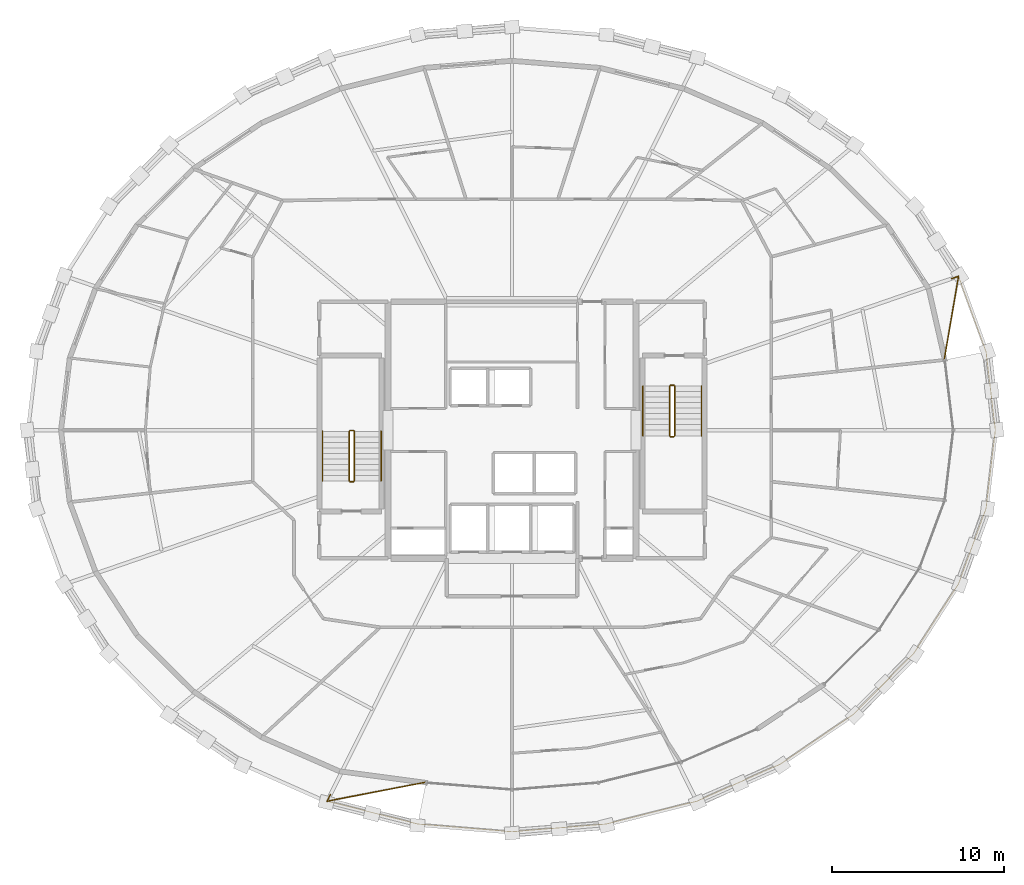
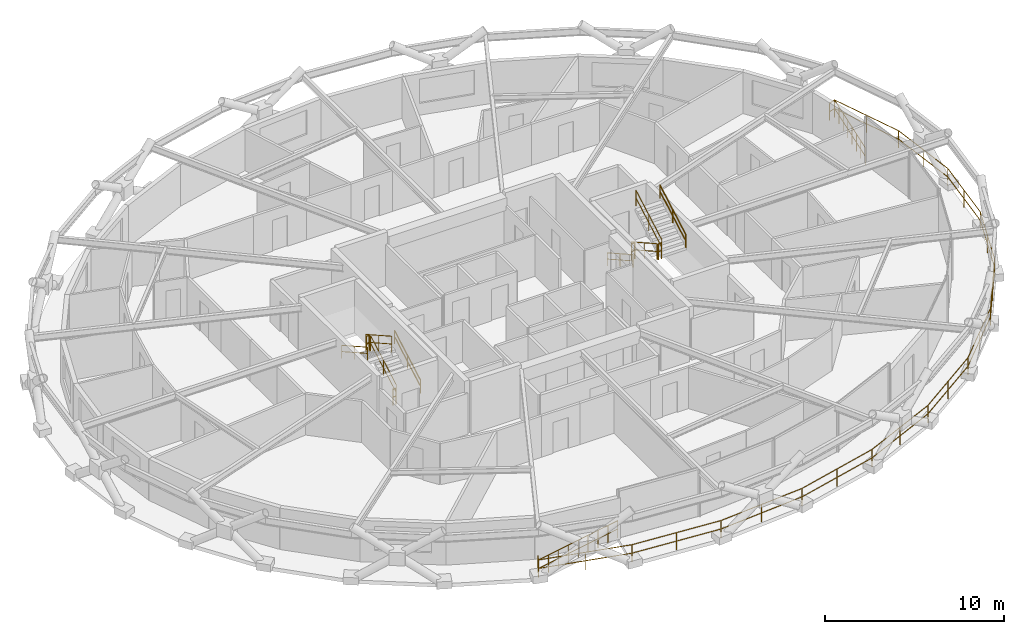
# One storey, part 19 of 19: 15 railings.
"""IFC4 building model written with IfcOpenShell, lengths in metres."""

from ifc_helpers import new_model, si_unit, direction, frame, origin, origin_2d, place, context, subcontext, project, spatial, circle, extrude, material, type_object, element, save


model = new_model("IFC4")

# Units and contexts
model_context = context("Model", 3, precision=1e-05, world=origin(), true_north=direction((0.0, 1.0)))
body_context = subcontext(model_context, "Body", "Model", "MODEL_VIEW")
ifc_project = project(units=[si_unit("LENGTHUNIT", "METRE"), si_unit("AREAUNIT", "SQUARE_METRE"), si_unit("VOLUMEUNIT", "CUBIC_METRE"), si_unit("PLANEANGLEUNIT", "RADIAN"), si_unit("MASSUNIT", "GRAM", prefix="KILO")], contexts=[model_context])

# Site, building, storey
site_placement = place(None, origin())
site = spatial("IfcSite", under=ifc_project, at=site_placement, CompositionType="ELEMENT")
building_placement = place(site_placement, origin())
building = spatial("IfcBuilding", under=site, at=building_placement, Name="Veldorina Hangang Commons", CompositionType="ELEMENT")
storey_placement = place(building_placement, frame((0.0, 0.0, 164.0)))
storey = spatial("IfcBuildingStorey", under=building, at=storey_placement, Name="L42", CompositionType="ELEMENT", Elevation=164.0)

# Railings
ifc_material_1 = material(Name="Glass Laminated Safety Balustrade", Category="glass")
railing_type_1 = type_object("IfcRailingType", Name="RL-BAL-LOGGIA", PredefinedType="BALUSTRADE", material=ifc_material_1)
railing_1_placement = place(storey_placement, frame((21.453369140625, 2.8291015625, 0.0)))
element("IfcRailing", 1, at=railing_1_placement, inside=storey, type_object=railing_type_1, Name="L42 sky-garden loggia end balustrade A", PredefinedType="BALUSTRADE", context=body_context, shape_type="SweptSolid", body=[
    extrude(circle(Radius=0.02392578125, at=origin_2d()), frame((0.0, 0.0, 1.17578125), z_axis=(-0.446050114082, -0.895007986404, 0.0), x_axis=(0.895007986404, -0.446050114082, 0.0)), (0.0, 0.0, 1.0), 0.419921875),
    extrude(circle(Radius=0.02392578125, at=origin_2d()), frame((0.0, 0.0, 0.60009765625), z_axis=(-0.446050114082, -0.895007986404, 0.0), x_axis=(0.895007986404, -0.446050114082, 0.0)), (0.0, 0.0, 1.0), 0.419921875),
    extrude(circle(Radius=0.02392578125, at=origin_2d()), frame((-0.187255859375, -0.375732421875, 1.17578125), z_axis=(0.981930469288, 0.189242049986, 0.0), x_axis=(-0.189242049986, 0.981930469288, 0.0)), (0.0, 0.0, 1.0), 5.8505859375),
    extrude(circle(Radius=0.02392578125, at=origin_2d()), frame((-0.187255859375, -0.375732421875, 0.60009765625), z_axis=(0.981930469288, 0.189242049986, 0.0), x_axis=(-0.189242049986, 0.981930469288, 0.0)), (0.0, 0.0, 1.0), 5.8505859375),
    extrude(circle(Radius=0.02099609375, at=origin_2d()), origin(), (0.0, 0.0, 1.0), 1.15185546875),
    extrude(circle(Radius=0.02099609375, at=origin_2d()), frame((-0.187255859375, -0.375732421875, 0.0)), (0.0, 0.0, 1.0), 1.15185546875),
    extrude(circle(Radius=0.02099609375, at=origin_2d()), frame((0.53076171875, -0.2373046875, 0.0)), (0.0, 0.0, 1.0), 1.15185546875),
    extrude(circle(Radius=0.02099609375, at=origin_2d()), frame((1.2490234375, -0.098876953125, 0.0)), (0.0, 0.0, 1.0), 1.15185546875),
    extrude(circle(Radius=0.02099609375, at=origin_2d()), frame((1.967041015625, 0.03955078125, 0.0)), (0.0, 0.0, 1.0), 1.15185546875),
    extrude(circle(Radius=0.02099609375, at=origin_2d()), frame((2.68505859375, 0.177734375, 0.0)), (0.0, 0.0, 1.0), 1.15185546875),
    extrude(circle(Radius=0.02099609375, at=origin_2d()), frame((3.4033203125, 0.316162109375, 0.0)), (0.0, 0.0, 1.0), 1.15185546875),
    extrude(circle(Radius=0.02099609375, at=origin_2d()), frame((4.121337890625, 0.45458984375, 0.0)), (0.0, 0.0, 1.0), 1.15185546875),
    extrude(circle(Radius=0.02099609375, at=origin_2d()), frame((4.839599609375, 0.593017578125, 0.0)), (0.0, 0.0, 1.0), 1.15185546875),
    extrude(circle(Radius=0.02099609375, at=origin_2d()), frame((5.5576171875, 0.7314453125, 0.0)), (0.0, 0.0, 1.0), 1.15185546875),
])
railing_2_placement = place(storey_placement, frame((57.52734375, 32.791748046875, 0.0)))
element("IfcRailing", 2, at=railing_2_placement, inside=storey, type_object=railing_type_1, Name="L42 sky-garden loggia end balustrade B", PredefinedType="BALUSTRADE", context=body_context, shape_type="SweptSolid", body=[
    extrude(circle(Radius=0.02392578125, at=origin_2d()), frame((0.0, 0.0, 1.17578125), z_axis=(0.94549650267, 0.325632251842, 0.0), x_axis=(-0.325632251842, 0.94549650267, 0.0)), (0.0, 0.0, 1.0), 0.419921875),
    extrude(circle(Radius=0.02392578125, at=origin_2d()), frame((0.0, 0.0, 0.60009765625), z_axis=(0.94549650267, 0.325632251842, 0.0), x_axis=(-0.325632251842, 0.94549650267, 0.0)), (0.0, 0.0, 1.0), 0.419921875),
    extrude(circle(Radius=0.02392578125, at=origin_2d()), frame((0.39697265625, 0.13671875, 1.17578125), z_axis=(-0.169076464243, -0.985602936907, 0.0), x_axis=(0.985602936907, -0.169076464243, 0.0)), (0.0, 0.0, 1.0), 4.9326171875),
    extrude(circle(Radius=0.02392578125, at=origin_2d()), frame((0.39697265625, 0.13671875, 0.60009765625), z_axis=(-0.169076464243, -0.985602936907, 0.0), x_axis=(0.985602936907, -0.169076464243, 0.0)), (0.0, 0.0, 1.0), 4.9326171875),
    extrude(circle(Radius=0.02099609375, at=origin_2d()), origin(), (0.0, 0.0, 1.0), 1.15185546875),
    extrude(circle(Radius=0.02099609375, at=origin_2d()), frame((0.39697265625, 0.13671875, 0.0)), (0.0, 0.0, 1.0), 1.15185546875),
    extrude(circle(Radius=0.02099609375, at=origin_2d()), frame((0.27783203125, -0.557861328125, 0.0)), (0.0, 0.0, 1.0), 1.15185546875),
    extrude(circle(Radius=0.02099609375, at=origin_2d()), frame((0.15869140625, -1.252197265625, 0.0)), (0.0, 0.0, 1.0), 1.15185546875),
    extrude(circle(Radius=0.02099609375, at=origin_2d()), frame((0.03955078125, -1.94677734375, 0.0)), (0.0, 0.0, 1.0), 1.15185546875),
    extrude(circle(Radius=0.02099609375, at=origin_2d()), frame((-0.07958984375, -2.641357421875, 0.0)), (0.0, 0.0, 1.0), 1.15185546875),
    extrude(circle(Radius=0.02099609375, at=origin_2d()), frame((-0.19873046875, -3.3359375, 0.0)), (0.0, 0.0, 1.0), 1.15185546875),
    extrude(circle(Radius=0.02099609375, at=origin_2d()), frame((-0.31787109375, -4.0302734375, 0.0)), (0.0, 0.0, 1.0), 1.15185546875),
    extrude(circle(Radius=0.02099609375, at=origin_2d()), frame((-0.43701171875, -4.724853515625, 0.0)), (0.0, 0.0, 1.0), 1.15185546875),
])
railing_3_placement = place(storey_placement, frame((21.26611328125, 2.453369140625, 0.0)))
element("IfcRailing", 3, at=railing_3_placement, inside=storey, type_object=railing_type_1, Name="L42 sky-garden loggia outer balustrade", PredefinedType="BALUSTRADE", context=body_context, shape_type="SweptSolid", body=[
    extrude(circle(Radius=0.02392578125, at=origin_2d()), frame((0.0, 0.0, 1.17578125), z_axis=(0.969712257171, -0.244250155154, 0.0), x_axis=(0.244250155154, 0.969712257171, 0.0)), (0.0, 0.0, 1.0), 5.426513671875),
    extrude(circle(Radius=0.02392578125, at=origin_2d()), frame((0.0, 0.0, 0.60009765625), z_axis=(0.969712257171, -0.244250155154, 0.0), x_axis=(0.244250155154, 0.969712257171, 0.0)), (0.0, 0.0, 1.0), 5.426513671875),
    extrude(circle(Radius=0.02392578125, at=origin_2d()), frame((5.26220703125, -1.325439453125, 1.17578125), z_axis=(0.996672166429, -0.08151437092, 0.0), x_axis=(0.08151437092, 0.996672166429, 0.0)), (0.0, 0.0, 1.0), 5.489990234375),
    extrude(circle(Radius=0.02392578125, at=origin_2d()), frame((5.26220703125, -1.325439453125, 0.60009765625), z_axis=(0.996672166429, -0.08151437092, 0.0), x_axis=(0.08151437092, 0.996672166429, 0.0)), (0.0, 0.0, 1.0), 5.489990234375),
    extrude(circle(Radius=0.02392578125, at=origin_2d()), frame((10.73388671875, -1.77294921875, 1.17578125), z_axis=(0.996672166429, 0.08151437092, 0.0), x_axis=(-0.08151437092, 0.996672166429, 0.0)), (0.0, 0.0, 1.0), 5.489990234375),
    extrude(circle(Radius=0.02392578125, at=origin_2d()), frame((10.73388671875, -1.77294921875, 0.60009765625), z_axis=(0.996672166429, 0.08151437092, 0.0), x_axis=(-0.08151437092, 0.996672166429, 0.0)), (0.0, 0.0, 1.0), 5.489990234375),
    extrude(circle(Radius=0.02392578125, at=origin_2d()), frame((16.20556640625, -1.325439453125, 1.17578125), z_axis=(0.969712257171, 0.244250155154, 0.0), x_axis=(-0.244250155154, 0.969712257171, 0.0)), (0.0, 0.0, 1.0), 5.426513671875),
    extrude(circle(Radius=0.02392578125, at=origin_2d()), frame((16.20556640625, -1.325439453125, 0.60009765625), z_axis=(0.969712257171, 0.244250155154, 0.0), x_axis=(-0.244250155154, 0.969712257171, 0.0)), (0.0, 0.0, 1.0), 5.426513671875),
    extrude(circle(Radius=0.02392578125, at=origin_2d()), frame((21.4677734375, 0.0, 1.17578125), z_axis=(0.914018192679, 0.405673197848, 0.0), x_axis=(-0.405673197848, 0.914018192679, 0.0)), (0.0, 0.0, 1.0), 5.307373046875),
    extrude(circle(Radius=0.02392578125, at=origin_2d()), frame((21.4677734375, 0.0, 0.60009765625), z_axis=(0.914018192679, 0.405673197848, 0.0), x_axis=(-0.405673197848, 0.914018192679, 0.0)), (0.0, 0.0, 1.0), 5.307373046875),
    extrude(circle(Radius=0.02392578125, at=origin_2d()), frame((26.31884765625, 2.153076171875, 1.17578125), z_axis=(0.826321666443, 0.56319845842, 0.0), x_axis=(-0.56319845842, 0.826321666443, 0.0)), (0.0, 0.0, 1.0), 5.146728515625),
    extrude(circle(Radius=0.02392578125, at=origin_2d()), frame((26.31884765625, 2.153076171875, 0.60009765625), z_axis=(0.826321666443, 0.56319845842, 0.0), x_axis=(-0.56319845842, 0.826321666443, 0.0)), (0.0, 0.0, 1.0), 5.146728515625),
    extrude(circle(Radius=0.02392578125, at=origin_2d()), frame((30.57177734375, 5.0517578125, 1.17578125), z_axis=(0.702867704703, 0.711320595572, 0.0), x_axis=(-0.711320595572, 0.702867704703, 0.0)), (0.0, 0.0, 1.0), 4.9677734375),
    extrude(circle(Radius=0.02392578125, at=origin_2d()), frame((30.57177734375, 5.0517578125, 0.60009765625), z_axis=(0.702867704703, 0.711320595572, 0.0), x_axis=(-0.711320595572, 0.702867704703, 0.0)), (0.0, 0.0, 1.0), 4.9677734375),
    extrude(circle(Radius=0.02392578125, at=origin_2d()), frame((34.0634765625, 8.58544921875, 1.17578125), z_axis=(0.541092060195, 0.840963365667, 0.0), x_axis=(-0.840963365667, 0.541092060195, 0.0)), (0.0, 0.0, 1.0), 4.79541015625),
    extrude(circle(Radius=0.02392578125, at=origin_2d()), frame((34.0634765625, 8.58544921875, 0.60009765625), z_axis=(0.541092060195, 0.840963365667, 0.0), x_axis=(-0.840963365667, 0.541092060195, 0.0)), (0.0, 0.0, 1.0), 4.79541015625),
    extrude(circle(Radius=0.02392578125, at=origin_2d()), frame((36.658203125, 12.6181640625, 1.17578125), z_axis=(0.343059599975, 0.939313638177, 0.0), x_axis=(-0.939313638177, 0.343059599975, 0.0)), (0.0, 0.0, 1.0), 4.6591796875),
    extrude(circle(Radius=0.02392578125, at=origin_2d()), frame((36.658203125, 12.6181640625, 0.60009765625), z_axis=(0.343059599975, 0.939313638177, 0.0), x_axis=(-0.939313638177, 0.343059599975, 0.0)), (0.0, 0.0, 1.0), 4.6591796875),
    extrude(circle(Radius=0.02392578125, at=origin_2d()), frame((38.256591796875, 16.99462890625, 1.17578125), z_axis=(0.117706464713, 0.993048431933, 0.0), x_axis=(-0.993048431933, 0.117706464713, 0.0)), (0.0, 0.0, 1.0), 4.583984375),
    extrude(circle(Radius=0.02392578125, at=origin_2d()), frame((38.256591796875, 16.99462890625, 0.60009765625), z_axis=(0.117706464713, 0.993048431933, 0.0), x_axis=(-0.993048431933, 0.117706464713, 0.0)), (0.0, 0.0, 1.0), 4.583984375),
    extrude(circle(Radius=0.02392578125, at=origin_2d()), frame((38.796142578125, 21.546630859375, 1.17578125), z_axis=(-0.117706464713, 0.993048431933, 0.0), x_axis=(-0.993048431933, -0.117706464713, 0.0)), (0.0, 0.0, 1.0), 4.583984375),
    extrude(circle(Radius=0.02392578125, at=origin_2d()), frame((38.796142578125, 21.546630859375, 0.60009765625), z_axis=(-0.117706464713, 0.993048431933, 0.0), x_axis=(-0.993048431933, -0.117706464713, 0.0)), (0.0, 0.0, 1.0), 4.583984375),
    extrude(circle(Radius=0.02392578125, at=origin_2d()), frame((38.256591796875, 26.0986328125, 1.17578125), z_axis=(-0.343059599975, 0.939313638177, 0.0), x_axis=(-0.939313638177, -0.343059599975, 0.0)), (0.0, 0.0, 1.0), 4.6591796875),
    extrude(circle(Radius=0.02392578125, at=origin_2d()), frame((38.256591796875, 26.0986328125, 0.60009765625), z_axis=(-0.343059599975, 0.939313638177, 0.0), x_axis=(-0.939313638177, -0.343059599975, 0.0)), (0.0, 0.0, 1.0), 4.6591796875),
    extrude(circle(Radius=0.02099609375, at=origin_2d()), origin(), (0.0, 0.0, 1.0), 1.15185546875),
    extrude(circle(Radius=0.02099609375, at=origin_2d()), frame((2.631103515625, -0.66259765625, 0.0)), (0.0, 0.0, 1.0), 1.15185546875),
    extrude(circle(Radius=0.02099609375, at=origin_2d()), frame((5.26220703125, -1.325439453125, 0.0)), (0.0, 0.0, 1.0), 1.15185546875),
    extrude(circle(Radius=0.02099609375, at=origin_2d()), frame((7.998046875, -1.54931640625, 0.0)), (0.0, 0.0, 1.0), 1.15185546875),
    extrude(circle(Radius=0.02099609375, at=origin_2d()), frame((10.73388671875, -1.77294921875, 0.0)), (0.0, 0.0, 1.0), 1.15185546875),
    extrude(circle(Radius=0.02099609375, at=origin_2d()), frame((13.4697265625, -1.54931640625, 0.0)), (0.0, 0.0, 1.0), 1.15185546875),
    extrude(circle(Radius=0.02099609375, at=origin_2d()), frame((16.20556640625, -1.325439453125, 0.0)), (0.0, 0.0, 1.0), 1.15185546875),
    extrude(circle(Radius=0.02099609375, at=origin_2d()), frame((18.836669921875, -0.66259765625, 0.0)), (0.0, 0.0, 1.0), 1.15185546875),
    extrude(circle(Radius=0.02099609375, at=origin_2d()), frame((21.4677734375, 0.0, 0.0)), (0.0, 0.0, 1.0), 1.15185546875),
    extrude(circle(Radius=0.02099609375, at=origin_2d()), frame((23.893310546875, 1.07666015625, 0.0)), (0.0, 0.0, 1.0), 1.15185546875),
    extrude(circle(Radius=0.02099609375, at=origin_2d()), frame((26.31884765625, 2.153076171875, 0.0)), (0.0, 0.0, 1.0), 1.15185546875),
    extrude(circle(Radius=0.02099609375, at=origin_2d()), frame((28.4453125, 3.6025390625, 0.0)), (0.0, 0.0, 1.0), 1.15185546875),
    extrude(circle(Radius=0.02099609375, at=origin_2d()), frame((30.57177734375, 5.0517578125, 0.0)), (0.0, 0.0, 1.0), 1.15185546875),
    extrude(circle(Radius=0.02099609375, at=origin_2d()), frame((32.317626953125, 6.818603515625, 0.0)), (0.0, 0.0, 1.0), 1.15185546875),
    extrude(circle(Radius=0.02099609375, at=origin_2d()), frame((34.0634765625, 8.58544921875, 0.0)), (0.0, 0.0, 1.0), 1.15185546875),
    extrude(circle(Radius=0.02099609375, at=origin_2d()), frame((35.36083984375, 10.601806640625, 0.0)), (0.0, 0.0, 1.0), 1.15185546875),
    extrude(circle(Radius=0.02099609375, at=origin_2d()), frame((36.658203125, 12.6181640625, 0.0)), (0.0, 0.0, 1.0), 1.15185546875),
    extrude(circle(Radius=0.02099609375, at=origin_2d()), frame((37.45751953125, 14.806396484375, 0.0)), (0.0, 0.0, 1.0), 1.15185546875),
    extrude(circle(Radius=0.02099609375, at=origin_2d()), frame((38.256591796875, 16.99462890625, 0.0)), (0.0, 0.0, 1.0), 1.15185546875),
    extrude(circle(Radius=0.02099609375, at=origin_2d()), frame((38.5263671875, 19.2705078125, 0.0)), (0.0, 0.0, 1.0), 1.15185546875),
    extrude(circle(Radius=0.02099609375, at=origin_2d()), frame((38.796142578125, 21.546630859375, 0.0)), (0.0, 0.0, 1.0), 1.15185546875),
    extrude(circle(Radius=0.02099609375, at=origin_2d()), frame((38.5263671875, 23.82275390625, 0.0)), (0.0, 0.0, 1.0), 1.15185546875),
    extrude(circle(Radius=0.02099609375, at=origin_2d()), frame((38.256591796875, 26.0986328125, 0.0)), (0.0, 0.0, 1.0), 1.15185546875),
    extrude(circle(Radius=0.02099609375, at=origin_2d()), frame((37.45751953125, 28.286865234375, 0.0)), (0.0, 0.0, 1.0), 1.15185546875),
    extrude(circle(Radius=0.02099609375, at=origin_2d()), frame((36.658203125, 30.47509765625, 0.0)), (0.0, 0.0, 1.0), 1.15185546875),
])
ifc_material_2 = material(Name="Steel Painted Balustrade", Category="steel")
railing_type_2 = type_object("IfcRailingType", Name="RL-GRD-STAIR", PredefinedType="GUARDRAIL", material=ifc_material_2)
railing_4_placement = place(storey_placement, frame((22.85009765625, 21.050048828125, 0.179931640625)))
element("IfcRailing", 4, at=railing_4_placement, inside=storey, type_object=railing_type_2, Name="L42 ST-1 stair guard 1", PredefinedType="GUARDRAIL", context=body_context, shape_type="SweptSolid", body=[
    extrude(circle(Radius=0.02392578125, at=origin_2d()), frame((0.0, 0.0, 1.076171875), z_axis=(0.0, 0.87155185771, 0.490303333991), x_axis=(-1.0, 0.0, 0.0)), (0.0, 0.0, 1.0), 3.30419921875),
    extrude(circle(Radius=0.02392578125, at=origin_2d()), frame((0.0, 0.0, 0.550048828125), z_axis=(0.0, 0.87155185771, 0.490303333991), x_axis=(-1.0, 0.0, 0.0)), (0.0, 0.0, 1.0), 3.30419921875),
    extrude(circle(Radius=0.02099609375, at=origin_2d()), origin(), (0.0, 0.0, 1.0), 1.052001953125),
    extrude(circle(Radius=0.02099609375, at=origin_2d()), frame((0.0, 1.43994140625, 0.81005859375)), (0.0, 0.0, 1.0), 1.052001953125),
    extrude(circle(Radius=0.02099609375, at=origin_2d()), frame((0.0, 2.8798828125, 1.6201171875)), (0.0, 0.0, 1.0), 1.052001953125),
])
railing_5_placement = place(storey_placement, frame((22.800048828125, 23.97998046875, 1.800048828125)))
element("IfcRailing", 5, at=railing_5_placement, inside=storey, type_object=railing_type_2, Name="L42 ST-1 stair guard 2", PredefinedType="GUARDRAIL", context=body_context, shape_type="SweptSolid", body=[
    extrude(circle(Radius=0.02392578125, at=origin_2d()), frame((0.0, 0.0, 1.076171875), z_axis=(-1.0, 0.0, 0.0), x_axis=(0.0, -1.0, 0.0)), (0.0, 0.0, 1.0), 0.199951171875),
    extrude(circle(Radius=0.02392578125, at=origin_2d()), frame((0.0, 0.0, 0.550048828125), z_axis=(-1.0, 0.0, 0.0), x_axis=(0.0, -1.0, 0.0)), (0.0, 0.0, 1.0), 0.199951171875),
    extrude(circle(Radius=0.02099609375, at=origin_2d()), origin(), (0.0, 0.0, 1.0), 1.052001953125),
    extrude(circle(Radius=0.02099609375, at=origin_2d()), frame((-0.199951171875, 0.0, 0.0)), (0.0, 0.0, 1.0), 1.052001953125),
])
railing_6_placement = place(storey_placement, frame((22.550048828125, 23.929931640625, 1.97998046875)))
element("IfcRailing", 6, at=railing_6_placement, inside=storey, type_object=railing_type_2, Name="L42 ST-1 stair guard 3", PredefinedType="GUARDRAIL", context=body_context, shape_type="SweptSolid", body=[
    extrude(circle(Radius=0.02392578125, at=origin_2d()), frame((0.0, 0.0, 1.076171875), z_axis=(0.0, -0.87155185771, 0.490303333991), x_axis=(1.0, 0.0, 0.0)), (0.0, 0.0, 1.0), 3.30419921875),
    extrude(circle(Radius=0.02392578125, at=origin_2d()), frame((0.0, 0.0, 0.550048828125), z_axis=(0.0, -0.87155185771, 0.490303333991), x_axis=(1.0, 0.0, 0.0)), (0.0, 0.0, 1.0), 3.30419921875),
    extrude(circle(Radius=0.02099609375, at=origin_2d()), origin(), (0.0, 0.0, 1.0), 1.052001953125),
    extrude(circle(Radius=0.02099609375, at=origin_2d()), frame((0.0, -1.43994140625, 0.81005859375)), (0.0, 0.0, 1.0), 1.052001953125),
    extrude(circle(Radius=0.02099609375, at=origin_2d()), frame((0.0, -2.8798828125, 1.6201171875)), (0.0, 0.0, 1.0), 1.052001953125),
])
railing_7_placement = place(storey_placement, frame((22.800048828125, 21.0, 0.0)))
element("IfcRailing", 7, at=railing_7_placement, inside=storey, type_object=railing_type_2, Name="L42 ST-1 stair guard 4", PredefinedType="GUARDRAIL", context=body_context, shape_type="SweptSolid", body=[
    extrude(circle(Radius=0.02392578125, at=origin_2d()), frame((0.0, 0.0, 1.076171875), z_axis=(-1.0, 0.0, 0.0), x_axis=(0.0, -1.0, 0.0)), (0.0, 0.0, 1.0), 0.199951171875),
    extrude(circle(Radius=0.02392578125, at=origin_2d()), frame((0.0, 0.0, 0.550048828125), z_axis=(-1.0, 0.0, 0.0), x_axis=(0.0, -1.0, 0.0)), (0.0, 0.0, 1.0), 0.199951171875),
    extrude(circle(Radius=0.02099609375, at=origin_2d()), origin(), (0.0, 0.0, 1.0), 1.052001953125),
    extrude(circle(Radius=0.02099609375, at=origin_2d()), frame((-0.199951171875, 0.0, 0.0)), (0.0, 0.0, 1.0), 1.052001953125),
])
railing_8_placement = place(storey_placement, frame((41.14990234375, 26.550048828125, 0.179931640625)))
element("IfcRailing", 8, at=railing_8_placement, inside=storey, type_object=railing_type_2, Name="L42 ST-2 stair guard 1", PredefinedType="GUARDRAIL", context=body_context, shape_type="SweptSolid", body=[
    extrude(circle(Radius=0.02392578125, at=origin_2d()), frame((0.0, 0.0, 1.076171875), z_axis=(0.0, -0.871569617843, 0.490271762652), x_axis=(1.0, 0.0, 0.0)), (0.0, 0.0, 1.0), 3.304443359375),
    extrude(circle(Radius=0.02392578125, at=origin_2d()), frame((0.0, 0.0, 0.550048828125), z_axis=(0.0, -0.871569617843, 0.490271762652), x_axis=(1.0, 0.0, 0.0)), (0.0, 0.0, 1.0), 3.304443359375),
    extrude(circle(Radius=0.02099609375, at=origin_2d()), origin(), (0.0, 0.0, 1.0), 1.052001953125),
    extrude(circle(Radius=0.02099609375, at=origin_2d()), frame((0.0, -1.43994140625, 0.81005859375)), (0.0, 0.0, 1.0), 1.052001953125),
    extrude(circle(Radius=0.02099609375, at=origin_2d()), frame((0.0, -2.880126953125, 1.6201171875)), (0.0, 0.0, 1.0), 1.052001953125),
])
railing_9_placement = place(storey_placement, frame((41.199951171875, 23.6201171875, 1.800048828125)))
element("IfcRailing", 9, at=railing_9_placement, inside=storey, type_object=railing_type_2, Name="L42 ST-2 stair guard 2", PredefinedType="GUARDRAIL", context=body_context, shape_type="SweptSolid", body=[
    extrude(circle(Radius=0.02392578125, at=origin_2d()), frame((0.0, 0.0, 1.076171875), z_axis=(1.0, 0.0, 0.0), x_axis=(0.0, 1.0, 0.0)), (0.0, 0.0, 1.0), 0.199951171875),
    extrude(circle(Radius=0.02392578125, at=origin_2d()), frame((0.0, 0.0, 0.550048828125), z_axis=(1.0, 0.0, 0.0), x_axis=(0.0, 1.0, 0.0)), (0.0, 0.0, 1.0), 0.199951171875),
    extrude(circle(Radius=0.02099609375, at=origin_2d()), origin(), (0.0, 0.0, 1.0), 1.052001953125),
    extrude(circle(Radius=0.02099609375, at=origin_2d()), frame((0.199951171875, 0.0, 0.0)), (0.0, 0.0, 1.0), 1.052001953125),
])
railing_10_placement = place(storey_placement, frame((41.449951171875, 23.669921875, 1.97998046875)))
element("IfcRailing", 10, at=railing_10_placement, inside=storey, type_object=railing_type_2, Name="L42 ST-2 stair guard 3", PredefinedType="GUARDRAIL", context=body_context, shape_type="SweptSolid", body=[
    extrude(circle(Radius=0.02392578125, at=origin_2d()), frame((0.0, 0.0, 1.076171875), z_axis=(0.0, 0.871569617843, 0.490271762652), x_axis=(-1.0, 0.0, 0.0)), (0.0, 0.0, 1.0), 3.304443359375),
    extrude(circle(Radius=0.02392578125, at=origin_2d()), frame((0.0, 0.0, 0.550048828125), z_axis=(0.0, 0.871569617843, 0.490271762652), x_axis=(-1.0, 0.0, 0.0)), (0.0, 0.0, 1.0), 3.304443359375),
    extrude(circle(Radius=0.02099609375, at=origin_2d()), origin(), (0.0, 0.0, 1.0), 1.052001953125),
    extrude(circle(Radius=0.02099609375, at=origin_2d()), frame((0.0, 1.43994140625, 0.81005859375)), (0.0, 0.0, 1.0), 1.052001953125),
    extrude(circle(Radius=0.02099609375, at=origin_2d()), frame((0.0, 2.880126953125, 1.6201171875)), (0.0, 0.0, 1.0), 1.052001953125),
])
railing_11_placement = place(storey_placement, frame((41.199951171875, 26.60009765625, 0.0)))
element("IfcRailing", 11, at=railing_11_placement, inside=storey, type_object=railing_type_2, Name="L42 ST-2 stair guard 4", PredefinedType="GUARDRAIL", context=body_context, shape_type="SweptSolid", body=[
    extrude(circle(Radius=0.02392578125, at=origin_2d()), frame((0.0, 0.0, 1.076171875), z_axis=(1.0, 0.0, 0.0), x_axis=(0.0, 1.0, 0.0)), (0.0, 0.0, 1.0), 0.199951171875),
    extrude(circle(Radius=0.02392578125, at=origin_2d()), frame((0.0, 0.0, 0.550048828125), z_axis=(1.0, 0.0, 0.0), x_axis=(0.0, 1.0, 0.0)), (0.0, 0.0, 1.0), 0.199951171875),
    extrude(circle(Radius=0.02099609375, at=origin_2d()), origin(), (0.0, 0.0, 1.0), 1.052001953125),
    extrude(circle(Radius=0.02099609375, at=origin_2d()), frame((0.199951171875, 0.0, 0.0)), (0.0, 0.0, 1.0), 1.052001953125),
])
ifc_material_3 = material(Name="Stainless Steel Brushed 316", Category="steel")
railing_type_3 = type_object("IfcRailingType", Name="RL-HND-STAIR", PredefinedType="HANDRAIL", material=ifc_material_3)
railing_12_placement = place(storey_placement, frame((24.39990234375, 21.050048828125, 0.179931640625)))
element("IfcRailing", 12, at=railing_12_placement, inside=storey, type_object=railing_type_3, Name="L42 ST-1 stair handrail 1", PredefinedType="HANDRAIL", context=body_context, shape_type="SweptSolid", body=[
    extrude(circle(Radius=0.02392578125, at=origin_2d()), frame((0.0, 0.0, 0.8759765625), z_axis=(0.0, 0.87155185771, 0.490303333991), x_axis=(-1.0, 0.0, 0.0)), (0.0, 0.0, 1.0), 3.30419921875),
    extrude(circle(Radius=0.02392578125, at=origin_2d()), frame((0.0, 0.0, 0.449951171875), z_axis=(0.0, 0.87155185771, 0.490303333991), x_axis=(-1.0, 0.0, 0.0)), (0.0, 0.0, 1.0), 3.30419921875),
    extrude(circle(Radius=0.02099609375, at=origin_2d()), origin(), (0.0, 0.0, 1.0), 0.851806640625),
    extrude(circle(Radius=0.02099609375, at=origin_2d()), frame((0.0, 1.43994140625, 0.81005859375)), (0.0, 0.0, 1.0), 0.851806640625),
    extrude(circle(Radius=0.02099609375, at=origin_2d()), frame((0.0, 2.8798828125, 1.6201171875)), (0.0, 0.0, 1.0), 0.851806640625),
])
railing_13_placement = place(storey_placement, frame((21.0, 23.929931640625, 1.97998046875)))
element("IfcRailing", 13, at=railing_13_placement, inside=storey, type_object=railing_type_3, Name="L42 ST-1 stair handrail 2", PredefinedType="HANDRAIL", context=body_context, shape_type="SweptSolid", body=[
    extrude(circle(Radius=0.02392578125, at=origin_2d()), frame((0.0, 0.0, 0.8759765625), z_axis=(0.0, -0.87155185771, 0.490303333991), x_axis=(1.0, 0.0, 0.0)), (0.0, 0.0, 1.0), 3.30419921875),
    extrude(circle(Radius=0.02392578125, at=origin_2d()), frame((0.0, 0.0, 0.449951171875), z_axis=(0.0, -0.87155185771, 0.490303333991), x_axis=(1.0, 0.0, 0.0)), (0.0, 0.0, 1.0), 3.30419921875),
    extrude(circle(Radius=0.02099609375, at=origin_2d()), origin(), (0.0, 0.0, 1.0), 0.851806640625),
    extrude(circle(Radius=0.02099609375, at=origin_2d()), frame((0.0, -1.43994140625, 0.81005859375)), (0.0, 0.0, 1.0), 0.851806640625),
    extrude(circle(Radius=0.02099609375, at=origin_2d()), frame((0.0, -2.8798828125, 1.6201171875)), (0.0, 0.0, 1.0), 0.851806640625),
])
railing_14_placement = place(storey_placement, frame((39.60009765625, 26.550048828125, 0.179931640625)))
element("IfcRailing", 14, at=railing_14_placement, inside=storey, type_object=railing_type_3, Name="L42 ST-2 stair handrail 1", PredefinedType="HANDRAIL", context=body_context, shape_type="SweptSolid", body=[
    extrude(circle(Radius=0.02392578125, at=origin_2d()), frame((0.0, 0.0, 0.8759765625), z_axis=(0.0, -0.871569617843, 0.490271762652), x_axis=(1.0, 0.0, 0.0)), (0.0, 0.0, 1.0), 3.304443359375),
    extrude(circle(Radius=0.02392578125, at=origin_2d()), frame((0.0, 0.0, 0.449951171875), z_axis=(0.0, -0.871569617843, 0.490271762652), x_axis=(1.0, 0.0, 0.0)), (0.0, 0.0, 1.0), 3.304443359375),
    extrude(circle(Radius=0.02099609375, at=origin_2d()), origin(), (0.0, 0.0, 1.0), 0.851806640625),
    extrude(circle(Radius=0.02099609375, at=origin_2d()), frame((0.0, -1.43994140625, 0.81005859375)), (0.0, 0.0, 1.0), 0.851806640625),
    extrude(circle(Radius=0.02099609375, at=origin_2d()), frame((0.0, -2.880126953125, 1.6201171875)), (0.0, 0.0, 1.0), 0.851806640625),
])
railing_15_placement = place(storey_placement, frame((43.0, 23.669921875, 1.97998046875)))
element("IfcRailing", 15, at=railing_15_placement, inside=storey, type_object=railing_type_3, Name="L42 ST-2 stair handrail 2", PredefinedType="HANDRAIL", context=body_context, shape_type="SweptSolid", body=[
    extrude(circle(Radius=0.02392578125, at=origin_2d()), frame((0.0, 0.0, 0.8759765625), z_axis=(0.0, 0.871569617843, 0.490271762652), x_axis=(-1.0, 0.0, 0.0)), (0.0, 0.0, 1.0), 3.304443359375),
    extrude(circle(Radius=0.02392578125, at=origin_2d()), frame((0.0, 0.0, 0.449951171875), z_axis=(0.0, 0.871569617843, 0.490271762652), x_axis=(-1.0, 0.0, 0.0)), (0.0, 0.0, 1.0), 3.304443359375),
    extrude(circle(Radius=0.02099609375, at=origin_2d()), origin(), (0.0, 0.0, 1.0), 0.851806640625),
    extrude(circle(Radius=0.02099609375, at=origin_2d()), frame((0.0, 1.43994140625, 0.81005859375)), (0.0, 0.0, 1.0), 0.851806640625),
    extrude(circle(Radius=0.02099609375, at=origin_2d()), frame((0.0, 2.880126953125, 1.6201171875)), (0.0, 0.0, 1.0), 0.851806640625),
])

save(model, "model.ifc")
